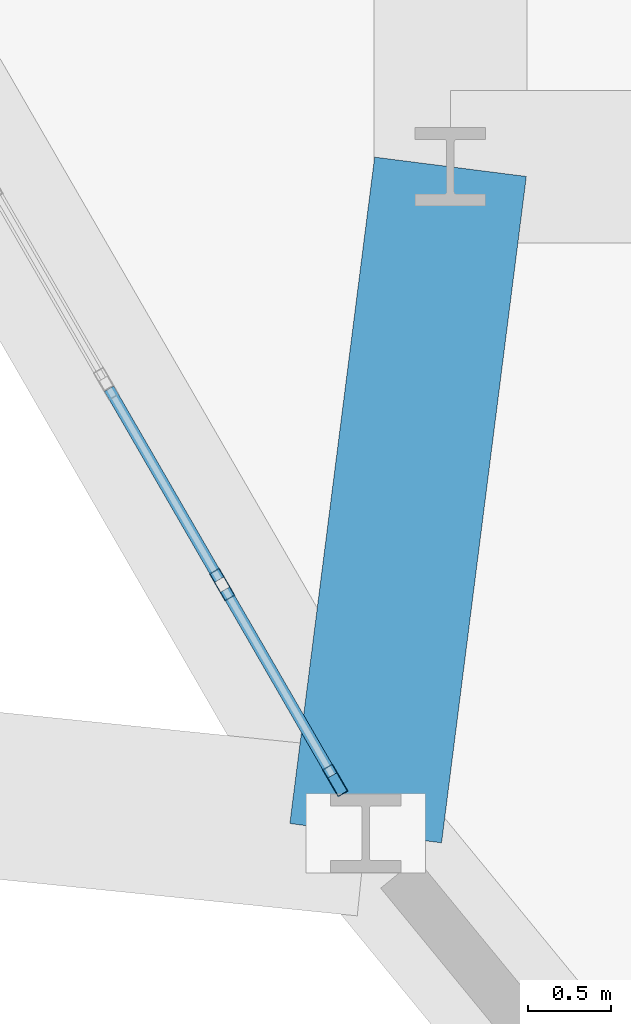
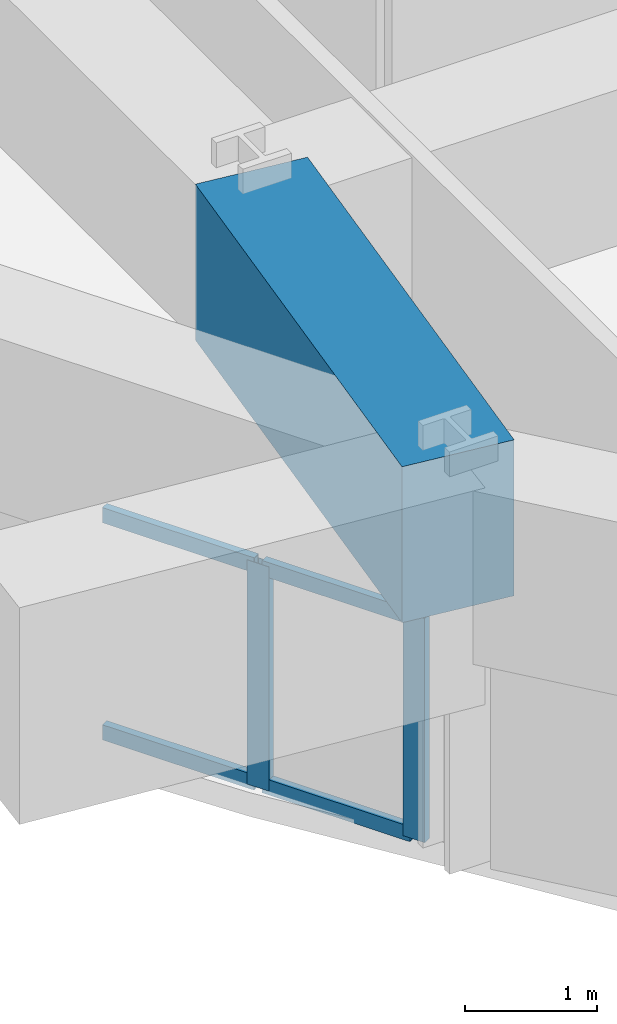
# One storey, part 2 of 18: 6 members, 1 beam, 1 element without a shape of its own.
"""IFC4 building model written with IfcOpenShell, lengths in metres."""

from ifc_helpers import new_model, si_unit, derived_unit, direction, frame, origin, origin_2d, place, context, subcontext, project, spatial, rectangle, hollow_rectangle, extrude, source, transform, mapped, material, layer, layer_set, material_profile, profile_set, type_object, element, aggregate, save


model = new_model("IFC4")

# Units and contexts
model_context = context("Model", 3, precision=1e-05, world=origin(), true_north=direction((0.0, 1.0)))
body_context = subcontext(model_context, "Body", "Model", "MODEL_VIEW")
ifc_project = project(units=[si_unit("LENGTHUNIT", "METRE"), si_unit("AREAUNIT", "SQUARE_METRE"), si_unit("VOLUMEUNIT", "CUBIC_METRE"), si_unit("PLANEANGLEUNIT", "RADIAN"), si_unit("MASSUNIT", "GRAM", prefix="KILO"), derived_unit("THERMALTRANSMITTANCEUNIT", [(si_unit("POWERUNIT", "WATT"), 1), (si_unit("LENGTHUNIT", "METRE"), -2), (si_unit("THERMODYNAMICTEMPERATUREUNIT", "KELVIN"), -1)])], contexts=[model_context])

# Site, building, storey
site_placement = place(None, origin())
site = spatial("IfcSite", under=ifc_project, at=site_placement, CompositionType="ELEMENT")
building_placement = place(site_placement, origin())
building = spatial("IfcBuilding", under=site, at=building_placement, Name="Korsvarv Bourse and Concert Hall", CompositionType="ELEMENT")
storey_placement = place(building_placement, frame((0.0, 0.0, 95.10009765625)))
storey = spatial("IfcBuildingStorey", under=building, at=storey_placement, Name="L23", CompositionType="ELEMENT", Elevation=95.10009765625)

# Beam
ifc_material_1 = material(Name="Concrete C50/60", Category="concrete")
ifc_material_profile_1 = material_profile(ifc_material_1, rectangle(XDim=0.919921875, YDim=1.43994140625, at=origin_2d()), Name="RC-BM 920x1440")
ifc_profile_set_1 = profile_set([ifc_material_profile_1], Name="Concrete C50/60")
beam_type = type_object("IfcBeamType", Name="BM-TR-144", PredefinedType="BEAM", material=ifc_profile_set_1)
shared_shape_1 = source(origin(), body_context, "Body", "SweptSolid", [
    extrude(rectangle(XDim=0.919921875, YDim=1.43994140625, at=origin_2d()), origin(), (0.0, 0.0, 1.0), 4.041015625),
])
beam_placement = place(storey_placement, frame((27.090087890625, 19.9912109375, 2.949951171875), z_axis=(0.126205637496, 0.992004101334, 0.0), x_axis=(-0.992004101334, 0.126205637496, 0.0)))
element("IfcBeam", 1, at=beam_placement, inside=storey, type_object=beam_type, Name="L23 beam B-TR4", PredefinedType="BEAM", context=body_context, shape_type="MappedRepresentation", body=[
    mapped(shared_shape_1, transform((0.0, 0.0, 0.0), scale=1.0)),
])

# Curtain wall, members
ifc_material_2 = material(Name="Anodised aluminium and triple low-E glazing", Category="glass")
ifc_layer = layer(ifc_material_2, 0.219970703125)
ifc_layer_set = layer_set([ifc_layer], Name="Anodised aluminium and triple low-E glazing")
curtain_wall_type = type_object("IfcCurtainWallType", Name="CW-SYS-1", PredefinedType="NOTDEFINED", material=ifc_layer_set)
curtain_wall_placement = place(storey_placement, origin())
curtain_wall = element("IfcCurtainWall", 2, at=curtain_wall_placement, inside=storey, type_object=curtain_wall_type, Name="L23 CW1 curtain wall CW-L23-F07", PredefinedType="NOTDEFINED")
ifc_material_3 = material(Name="Extruded aluminium EN AW-6063 T66", Category="aluminium")
ifc_material_profile_2 = material_profile(ifc_material_3, hollow_rectangle(XDim=0.070068359375, YDim=0.18994140625, WallThickness=0.0048828125, at=origin_2d()), Name="ALU-M 70x190")
ifc_profile_set_2 = profile_set([ifc_material_profile_2], Name="Extruded aluminium EN AW-6063 T66")
member_type_1 = type_object("IfcMemberType", Name="CWM-190", PredefinedType="MULLION", material=ifc_profile_set_2)
shared_shape_2 = source(origin(), body_context, "Body", "SweptSolid", [
    extrude(hollow_rectangle(XDim=0.070068359375, YDim=0.18994140625, WallThickness=0.0048828125, at=origin_2d()), origin(), (0.0, 0.0, 1.0), 2.06982421875),
])
member_1_placement = place(storey_placement, frame((26.2265625, 21.48681640625, 0.0), z_axis=(0.0, 0.0, 1.0), x_axis=(0.8660261613, 0.499998687942, 0.0)))
member_1 = element("IfcMember", 3, at=member_1_placement, type_object=member_type_1, Name="CW1 mullion 10", PredefinedType="MULLION", context=body_context, shape_type="MappedRepresentation", body=[
    mapped(shared_shape_2, transform((0.0, 0.0, 0.0), scale=1.0)),
])
member_2_placement = place(storey_placement, frame((26.906982421875, 20.30859375, 0.0), z_axis=(0.0, 0.0, 1.0), x_axis=(0.8660261613, 0.499998687942, 0.0)))
member_2 = element("IfcMember", 4, at=member_2_placement, type_object=member_type_1, Name="CW1 mullion 11", PredefinedType="MULLION", context=body_context, shape_type="MappedRepresentation", body=[
    mapped(shared_shape_2, transform((0.0, 0.0, 0.0), scale=1.0)),
])
ifc_material_profile_3 = material_profile(ifc_material_3, hollow_rectangle(XDim=0.06494140625, YDim=0.139892578125, WallThickness=0.00390625, at=origin_2d()), Name="ALU-T 65x140")
ifc_profile_set_3 = profile_set([ifc_material_profile_3], Name="Extruded aluminium EN AW-6063 T66")
member_type_2 = type_object("IfcMemberType", Name="CWT-140", PredefinedType="USERDEFINED", material=ifc_profile_set_3)
shared_shape_3 = source(origin(), body_context, "Body", "SweptSolid", [
    extrude(hollow_rectangle(XDim=0.06494140625, YDim=0.139892578125, WallThickness=0.00390625, at=origin_2d()), origin(), (0.0, 0.0, 1.0), 1.29052734375),
])
member_3_placement = place(storey_placement, frame((26.244140625, 21.45654296875, 0.032470703125), z_axis=(0.49998445949, -0.866034375916, 0.0), x_axis=(0.866034375916, 0.49998445949, 0.0)))
member_3 = element("IfcMember", 5, at=member_3_placement, type_object=member_type_2, Name="CW1 transom 10.1", ObjectType="TRANSOM", PredefinedType="USERDEFINED", context=body_context, shape_type="MappedRepresentation", body=[
    mapped(shared_shape_3, transform((0.0, 0.0, 0.0), scale=1.0)),
])
member_4_placement = place(storey_placement, frame((26.244140625, 21.45654296875, 2.037353515625), z_axis=(0.49998445949, -0.866034375916, 0.0), x_axis=(0.866034375916, 0.49998445949, 0.0)))
member_4 = element("IfcMember", 6, at=member_4_placement, type_object=member_type_2, Name="CW1 transom 10.2", ObjectType="TRANSOM", PredefinedType="USERDEFINED", context=body_context, shape_type="MappedRepresentation", body=[
    mapped(shared_shape_3, transform((0.0, 0.0, 0.0), scale=1.0)),
])
shared_shape_4 = source(origin(), body_context, "Body", "SweptSolid", [
    extrude(hollow_rectangle(XDim=0.06494140625, YDim=0.139892578125, WallThickness=0.00390625, at=origin_2d()), origin(), (0.0, 0.0, 1.0), 1.32568359375),
])
member_5_placement = place(storey_placement, frame((25.54638671875, 22.6650390625, 0.032470703125), z_axis=(0.500041305919, -0.866001554487, 0.0), x_axis=(0.866001554487, 0.500041305919, 0.0)))
member_5 = element("IfcMember", 7, at=member_5_placement, type_object=member_type_2, Name="CW1 transom 9.1", ObjectType="TRANSOM", PredefinedType="USERDEFINED", context=body_context, shape_type="MappedRepresentation", body=[
    mapped(shared_shape_4, transform((0.0, 0.0, 0.0), scale=1.0)),
])
member_6_placement = place(storey_placement, frame((25.54638671875, 22.6650390625, 2.037353515625), z_axis=(0.500041305919, -0.866001554487, 0.0), x_axis=(0.866001554487, 0.500041305919, 0.0)))
member_6 = element("IfcMember", 8, at=member_6_placement, type_object=member_type_2, Name="CW1 transom 9.2", ObjectType="TRANSOM", PredefinedType="USERDEFINED", context=body_context, shape_type="MappedRepresentation", body=[
    mapped(shared_shape_4, transform((0.0, 0.0, 0.0), scale=1.0)),
])
aggregate(curtain_wall, [member_1, member_2, member_5, member_6, member_3, member_4])

save(model, "model.ifc")
